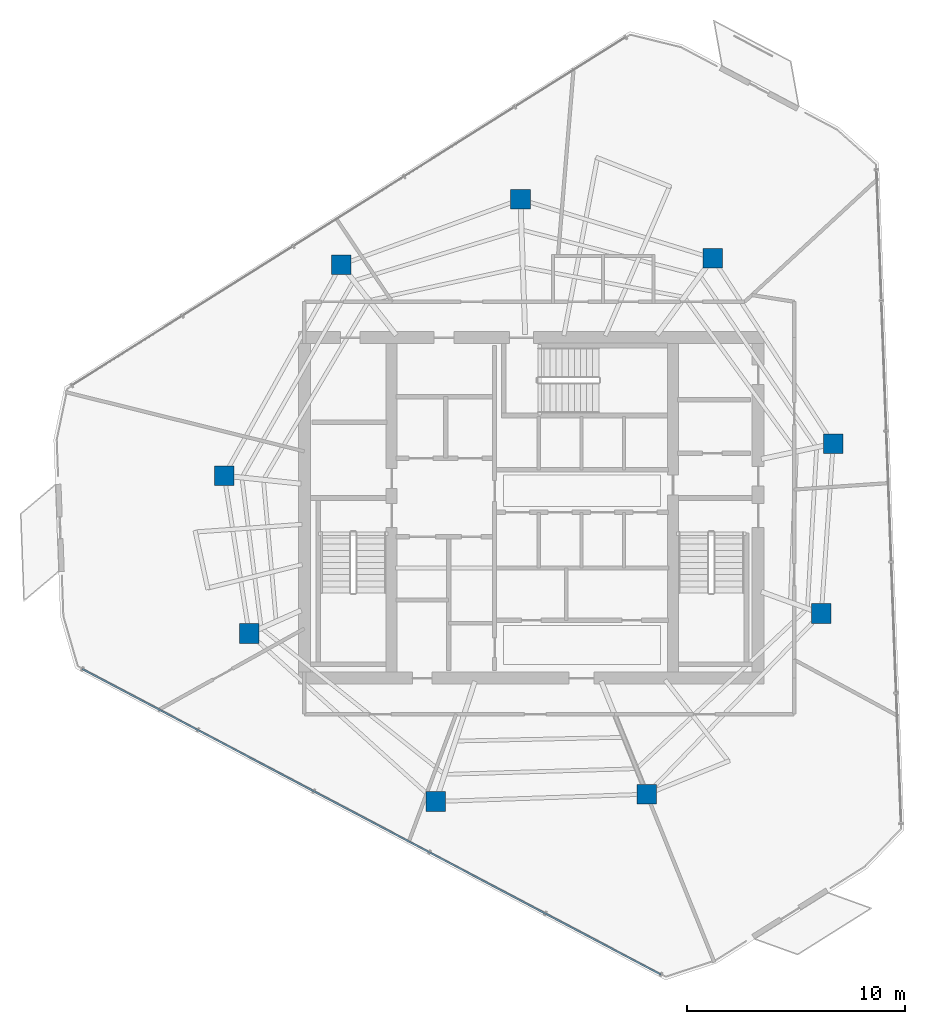
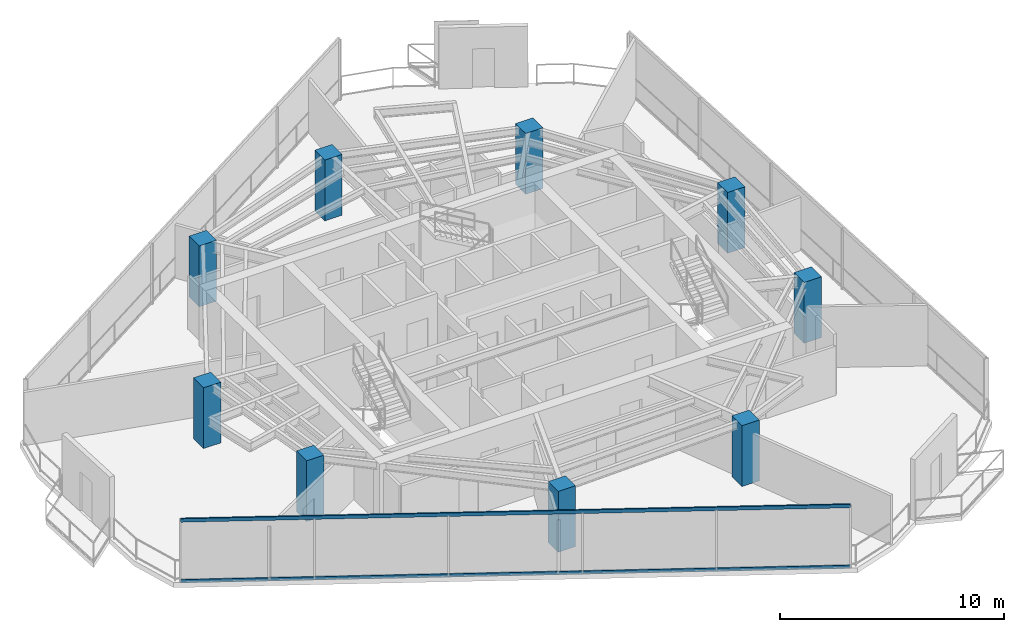
# One storey, part 1 of 19: 9 columns, 2 members, 1 element without a shape of its own.
"""IFC4 building model written with IfcOpenShell, lengths in metres."""

from ifc_helpers import new_model, si_unit, direction, frame, origin, origin_2d, place, context, subcontext, project, spatial, rectangle, hollow_rectangle, extrude, material, layer, layer_set, material_profile, profile_set, type_object, element, aggregate, save


model = new_model("IFC4")

# Units and contexts
model_context = context("Model", 3, precision=1e-05, world=origin(), true_north=direction((0.0, 1.0)))
body_context = subcontext(model_context, "Body", "Model", "MODEL_VIEW")
ifc_project = project(units=[si_unit("LENGTHUNIT", "METRE"), si_unit("AREAUNIT", "SQUARE_METRE"), si_unit("VOLUMEUNIT", "CUBIC_METRE"), si_unit("PLANEANGLEUNIT", "RADIAN"), si_unit("MASSUNIT", "GRAM", prefix="KILO")], contexts=[model_context])

# Site, building, storey
site_placement = place(None, origin())
site = spatial("IfcSite", under=ifc_project, at=site_placement, CompositionType="ELEMENT")
building_placement = place(site_placement, origin())
building = spatial("IfcBuilding", under=site, at=building_placement, Name="Qarnah Convention Tower", CompositionType="ELEMENT")
storey_placement = place(building_placement, frame((0.0, 0.0, 187.800048828125)))
storey = spatial("IfcBuildingStorey", under=building, at=storey_placement, Name="L50", CompositionType="ELEMENT", Elevation=187.800048828125)

# Columns
ifc_material_1 = material(Name="Concrete C50/60", Category="concrete")
ifc_material_profile_1 = material_profile(ifc_material_1, rectangle(XDim=0.89990234375, YDim=0.89990234375, at=origin_2d()), Name="RC-COL-900X900")
ifc_profile_set_1 = profile_set([ifc_material_profile_1], Name="Concrete C50/60")
column_type = type_object("IfcColumnType", Name="COL-Z4-900", PredefinedType="COLUMN", material=ifc_profile_set_1)
for number, where, z_axis, x_axis, name in (
    (1, (51.041015625, 29.342041015625, 0.0), (0.0, 0.0, 1.0), (1.0, 0.0, 0.0), "L50 plumb column PC-Z4-01"),
    (2, (45.51708984375, 37.847900390625, 0.0), (0.0, 0.0, 1.0), (1.0, 0.0, 0.0), "L50 plumb column PC-Z4-02"),
    (3, (36.7060546875, 40.541015625, 0.0), (0.0, 0.0, 1.0), (1.0, 0.0, 0.0), "L50 plumb column PC-Z4-03"),
    (4, (28.488037109375, 37.550048828125, 0.0), (0.0, 0.0, 1.0), (1.0, 0.0, 0.0), "L50 plumb column PC-Z4-04"),
    (5, (23.1279296875, 27.87890625, 0.0), (0.0, 0.0, 1.0), (1.0, 0.0, 0.0), "L50 plumb column PC-Z4-05"),
    (6, (24.27294921875, 20.64501953125, 0.0), (0.0, 0.0, 1.0), (1.0, 0.0, 0.0), "L50 plumb column PC-Z4-06"),
    (7, (32.826904296875, 12.943115234375, 0.0), (0.0, 0.0, 1.0), (1.0, 0.0, 0.0), "L50 plumb column PC-Z4-07"),
    (8, (42.5009765625, 13.280029296875, 0.0), (0.0, 0.0, 1.0), (1.0, 0.0, 0.0), "L50 plumb column PC-Z4-08"),
    (9, (50.4970703125, 21.56005859375, 0.0), (0.0, 0.0, 1.0), (1.0, 0.0, 0.0), "L50 plumb column PC-Z4-09"),
):
    element("IfcColumn", number, at=place(storey_placement, frame(where, z_axis=z_axis, x_axis=x_axis)), inside=storey, type_object=column_type, Name=name, PredefinedType="COLUMN", context=body_context, shape_type="SweptSolid", body=[
        extrude(rectangle(XDim=0.89990234375, YDim=0.89990234375, at=origin_2d()), origin(), (0.0, 0.0, 1.0), 3.320068359375),
    ])

# Curtain wall, members
ifc_material_2 = material(Name="Tempered Low-E dark glass", Category="glass")
ifc_layer = layer(ifc_material_2, 0.174072265625)
ifc_layer_set = layer_set([ifc_layer], Name="Tempered Low-E dark glass")
curtain_wall_type = type_object("IfcCurtainWallType", Name="CWS-04", PredefinedType="NOTDEFINED", material=ifc_layer_set)
curtain_wall_placement = place(storey_placement, origin())
curtain_wall = element("IfcCurtainWall", 10, at=curtain_wall_placement, inside=storey, type_object=curtain_wall_type, Name="L50 unitised curtain wall CW-L50-F2", PredefinedType="NOTDEFINED")
ifc_material_3 = material(Name="Black anodised aluminium", Category="aluminium")
ifc_material_profile_2 = material_profile(ifc_material_3, hollow_rectangle(XDim=0.074951171875, YDim=0.18994140625, WallThickness=0.0048828125, at=origin_2d()), Name="TRN-75X190")
ifc_profile_set_2 = profile_set([ifc_material_profile_2], Name="Black anodised aluminium")
member_type = type_object("IfcMemberType", Name="TRN-T4", PredefinedType="USERDEFINED", material=ifc_profile_set_2)
member_1_placement = place(storey_placement, frame((43.14697265625, 5.010986328125, 0.0), z_axis=(-0.884262075105, 0.466990987634, 0.0), x_axis=(-0.466990987634, -0.884262075105, 0.0)))
member_1 = element("IfcMember", 11, at=member_1_placement, type_object=member_type, Name="CW-L50-F2 transom 1", ObjectType="TRANSOM", PredefinedType="USERDEFINED", context=body_context, shape_type="SweptSolid", body=[
    extrude(hollow_rectangle(XDim=0.074951171875, YDim=0.18994140625, WallThickness=0.0048828125, at=origin_2d()), origin(), (0.0, 0.0, 1.0), 29.9921875),
])
member_2_placement = place(storey_placement, frame((43.14697265625, 5.010986328125, 3.320068359375), z_axis=(-0.884262075105, 0.466990987634, 0.0), x_axis=(-0.466990987634, -0.884262075105, 0.0)))
member_2 = element("IfcMember", 12, at=member_2_placement, type_object=member_type, Name="CW-L50-F2 transom 2", ObjectType="TRANSOM", PredefinedType="USERDEFINED", context=body_context, shape_type="SweptSolid", body=[
    extrude(hollow_rectangle(XDim=0.074951171875, YDim=0.18994140625, WallThickness=0.0048828125, at=origin_2d()), origin(), (0.0, 0.0, 1.0), 29.9921875),
])
aggregate(curtain_wall, [member_1, member_2])

save(model, "model.ifc")
